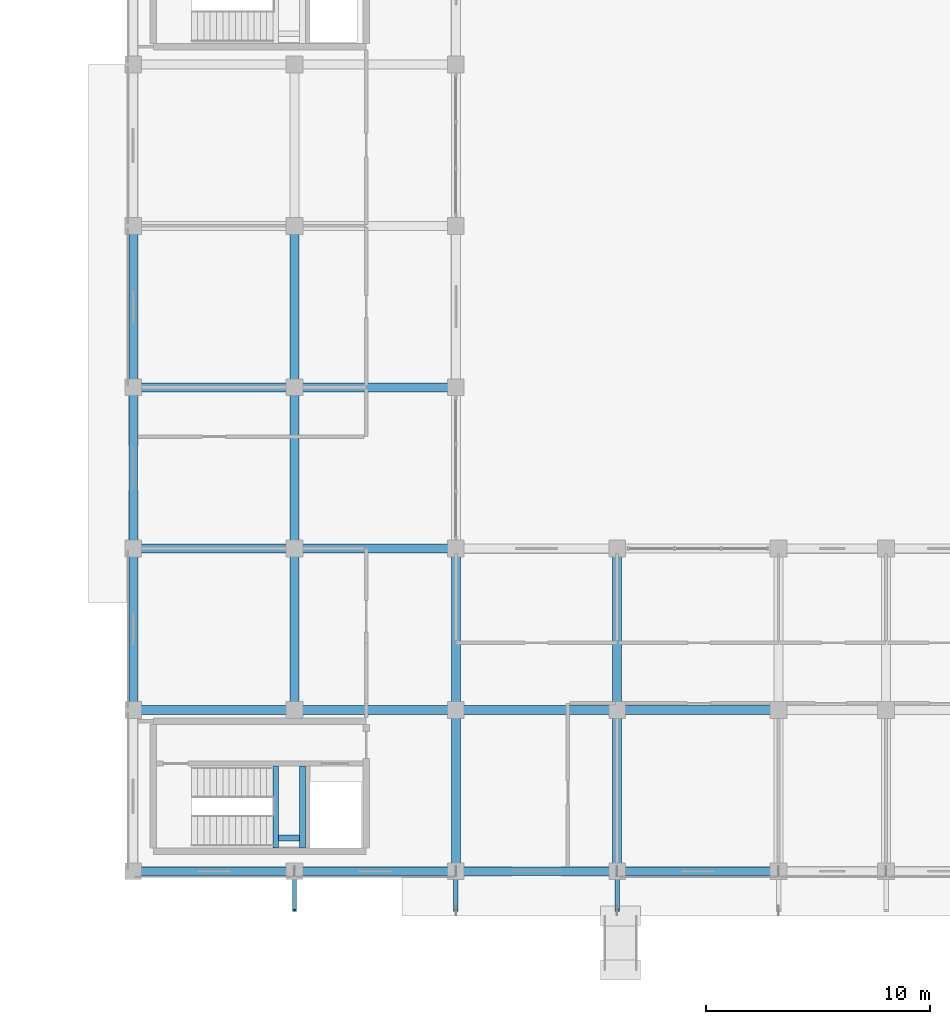
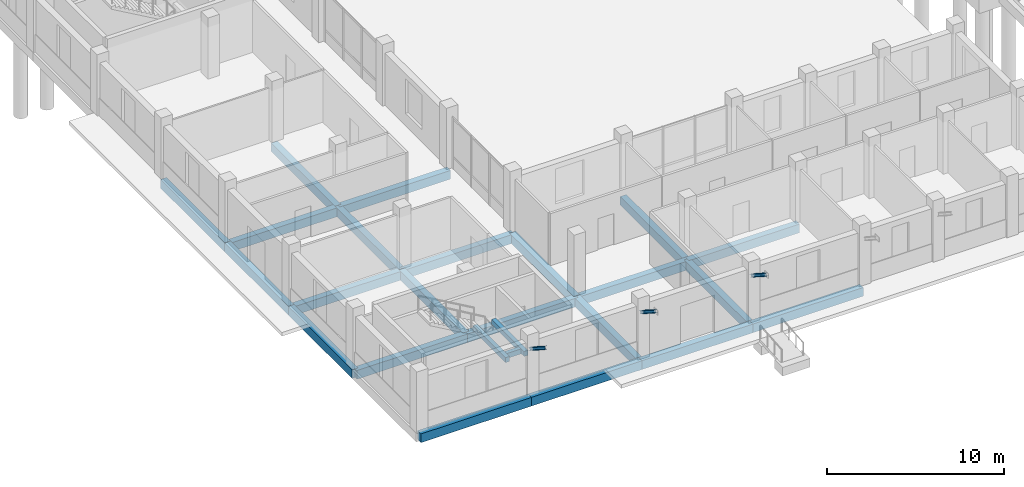
# One storey, part 17 of 98: 25 beams, 3 members.
"""IFC4 building model written with IfcOpenShell, lengths in metres."""

from ifc_helpers import new_model, si_unit, direction, frame, origin, origin_2d, place, context, subcontext, project, spatial, rectangle, i_section, extrude, material, material_profile, profile_set, type_object, element, save


model = new_model("IFC4")

# Units and contexts
model_context = context("Model", 3, precision=1e-05, world=origin(), true_north=direction((0.0, 1.0)))
body_context = subcontext(model_context, "Body", "Model", "MODEL_VIEW")
ifc_project = project(units=[si_unit("LENGTHUNIT", "METRE"), si_unit("AREAUNIT", "SQUARE_METRE"), si_unit("VOLUMEUNIT", "CUBIC_METRE"), si_unit("PLANEANGLEUNIT", "RADIAN"), si_unit("MASSUNIT", "GRAM", prefix="KILO")], contexts=[model_context])

# Site, building, storey
site_placement = place(None, origin())
site = spatial("IfcSite", under=ifc_project, at=site_placement, CompositionType="ELEMENT")
building_placement = place(site_placement, origin())
building = spatial("IfcBuilding", under=site, at=building_placement, Name="Zornivar Specialist Clinic", CompositionType="ELEMENT")
storey_placement = place(building_placement, origin())
storey = spatial("IfcBuildingStorey", under=building, at=storey_placement, Name="L00", CompositionType="ELEMENT", Elevation=0.0)

# Beams
ifc_material_1 = material(Name="Concrete C30/37", Category="concrete")
ifc_material_profile_1 = material_profile(ifc_material_1, rectangle(XDim=0.260009765625, YDim=0.340087890625, at=origin_2d()), Name="RC 260x340")
ifc_profile_set_1 = profile_set([ifc_material_profile_1], Name="Concrete C30/37")
beam_type_1 = type_object("IfcBeamType", Name="BM-LAND-260x340", PredefinedType="BEAM", material=ifc_profile_set_1)
for number, where, z_axis, x_axis, name in (
    (1, (6.360107421875, 1.0400390625, 1.8701171875), (0.0, 1.0, 0.0), (-1.0, 0.0, 0.0), "bm:stair:C1:L00:lW"),
    (2, (7.56005859375, 1.0400390625, 1.8701171875), (0.0, 1.0, 0.0), (-1.0, 0.0, 0.0), "bm:stair:C1:L00:lE"),
):
    element("IfcBeam", number, at=place(storey_placement, frame(where, z_axis=z_axis, x_axis=x_axis)), inside=storey, type_object=beam_type_1, Name=name, PredefinedType="BEAM", context=body_context, shape_type="SweptSolid", body=[
        extrude(rectangle(XDim=0.260009765625, YDim=0.340087890625, at=origin_2d()), origin(), (0.0, 0.0, 1.0), 3.659912109375),
    ])
beam_1_placement = place(storey_placement, frame((6.4951171875, 1.47998046875, 1.8701171875), z_axis=(1.0, 0.0, 0.0), x_axis=(0.0, 1.0, 0.0)))
element("IfcBeam", 3, at=beam_1_placement, inside=storey, type_object=beam_type_1, Name="bm:stair:C1:L00:lS", PredefinedType="BEAM", context=body_context, shape_type="SweptSolid", body=[
    extrude(rectangle(XDim=0.260009765625, YDim=0.340087890625, at=origin_2d()), origin(), (0.0, 0.0, 1.0), 0.929931640625),
])
ifc_material_2 = material(Name="Concrete C30/37", Category="concrete")
ifc_material_profile_2 = material_profile(ifc_material_2, rectangle(XDim=0.39990234375, YDim=0.60009765625, at=origin_2d()), Name="RC 400x600")
ifc_profile_set_2 = profile_set([ifc_material_profile_2], Name="Concrete C30/37")
beam_type_2 = type_object("IfcBeamType", Name="BM-RC-400x600", PredefinedType="BEAM", material=ifc_profile_set_2)
for number, where, z_axis, x_axis, name in (
    (4, (0.0, 7.199951171875, -0.580078125), (1.0, 0.0, 0.0), (0.0, 1.0, 0.0), "bm:V2:L00:x:72:0"),
    (5, (7.199951171875, 7.199951171875, -0.580078125), (1.0, 0.0, 0.0), (0.0, 1.0, 0.0), "bm:V2:L00:x:72:1"),
):
    element("IfcBeam", number, at=place(storey_placement, frame(where, z_axis=z_axis, x_axis=x_axis)), inside=storey, type_object=beam_type_2, Name=name, PredefinedType="BEAM", context=body_context, shape_type="SweptSolid", body=[
        extrude(rectangle(XDim=0.39990234375, YDim=0.60009765625, at=origin_2d()), origin(), (0.0, 0.0, 1.0), 7.199951171875),
    ])
beam_2_placement = place(storey_placement, frame((14.39990234375, 7.199951171875, -0.580078125), z_axis=(1.0, 0.0, 0.0), x_axis=(0.0, 1.0, 0.0)))
element("IfcBeam", 6, at=beam_2_placement, inside=storey, type_object=beam_type_2, Name="bm:V2:L00:x:72:2", PredefinedType="BEAM", context=body_context, shape_type="SweptSolid", body=[
    extrude(rectangle(XDim=0.39990234375, YDim=0.60009765625, at=origin_2d()), origin(), (0.0, 0.0, 1.0), 7.2001953125),
])
for number, where, z_axis, x_axis, name in (
    (7, (21.60009765625, 7.199951171875, -0.580078125), (1.0, 0.0, 0.0), (0.0, 1.0, 0.0), "bm:V2:L00:x:72:3"),
    (8, (0.0, 14.39990234375, -0.580078125), (1.0, 0.0, 0.0), (0.0, 1.0, 0.0), "bm:V2:L00:x:144:0"),
    (9, (7.199951171875, 14.39990234375, -0.580078125), (1.0, 0.0, 0.0), (0.0, 1.0, 0.0), "bm:V2:L00:x:144:1"),
    (10, (0.0, 21.60009765625, -0.580078125), (1.0, 0.0, 0.0), (0.0, 1.0, 0.0), "bm:V2:L00:x:216:0"),
    (11, (7.199951171875, 21.60009765625, -0.580078125), (1.0, 0.0, 0.0), (0.0, 1.0, 0.0), "bm:V2:L00:x:216:1"),
    (12, (7.199951171875, 7.199951171875, -0.580078125), (0.0, 1.0, 0.0), (-1.0, 0.0, 0.0), "bm:V2:L00:y:72:1"),
):
    element("IfcBeam", number, at=place(storey_placement, frame(where, z_axis=z_axis, x_axis=x_axis)), inside=storey, type_object=beam_type_2, Name=name, PredefinedType="BEAM", context=body_context, shape_type="SweptSolid", body=[
        extrude(rectangle(XDim=0.39990234375, YDim=0.60009765625, at=origin_2d()), origin(), (0.0, 0.0, 1.0), 7.199951171875),
    ])
beam_3_placement = place(storey_placement, frame((7.199951171875, 14.39990234375, -0.580078125), z_axis=(0.0, 1.0, 0.0), x_axis=(-1.0, 0.0, 0.0)))
element("IfcBeam", 13, at=beam_3_placement, inside=storey, type_object=beam_type_2, Name="bm:V2:L00:y:72:2", PredefinedType="BEAM", context=body_context, shape_type="SweptSolid", body=[
    extrude(rectangle(XDim=0.39990234375, YDim=0.60009765625, at=origin_2d()), origin(), (0.0, 0.0, 1.0), 7.2001953125),
])
for number, where, z_axis, x_axis, name in (
    (14, (7.199951171875, 21.60009765625, -0.580078125), (0.0, 1.0, 0.0), (-1.0, 0.0, 0.0), "bm:V2:L00:y:72:3"),
    (15, (14.39990234375, 0.0, -0.580078125), (0.0, 1.0, 0.0), (-1.0, 0.0, 0.0), "bm:V2:L00:y:144:0"),
    (16, (14.39990234375, 7.199951171875, -0.580078125), (0.0, 1.0, 0.0), (-1.0, 0.0, 0.0), "bm:V2:L00:y:144:1"),
    (17, (21.60009765625, 0.0, -0.580078125), (0.0, 1.0, 0.0), (-1.0, 0.0, 0.0), "bm:V2:L00:y:216:0"),
    (18, (21.60009765625, 7.199951171875, -0.580078125), (0.0, 1.0, 0.0), (-1.0, 0.0, 0.0), "bm:V2:L00:y:216:1"),
):
    element("IfcBeam", number, at=place(storey_placement, frame(where, z_axis=z_axis, x_axis=x_axis)), inside=storey, type_object=beam_type_2, Name=name, PredefinedType="BEAM", context=body_context, shape_type="SweptSolid", body=[
        extrude(rectangle(XDim=0.39990234375, YDim=0.60009765625, at=origin_2d()), origin(), (0.0, 0.0, 1.0), 7.199951171875),
    ])
ifc_material_3 = material(Name="Concrete C30/37", Category="concrete")
ifc_material_profile_3 = material_profile(ifc_material_3, rectangle(XDim=0.389892578125, YDim=0.60009765625, at=origin_2d()), Name="RC 390x600")
ifc_profile_set_3 = profile_set([ifc_material_profile_3], Name="Concrete C30/37")
beam_type_3 = type_object("IfcBeamType", Name="BM-RC-SPANDREL-390x600", PredefinedType="SPANDREL", material=ifc_profile_set_3)
for number, where, z_axis, x_axis, name in (
    (19, (0.0, 0.0, -0.580078125), (1.0, 0.0, 0.0), (0.0, 1.0, 0.0), "bm:V2:L00:x:0:0"),
    (20, (7.199951171875, 0.0, -0.580078125), (1.0, 0.0, 0.0), (0.0, 1.0, 0.0), "bm:V2:L00:x:0:1"),
):
    element("IfcBeam", number, at=place(storey_placement, frame(where, z_axis=z_axis, x_axis=x_axis)), inside=storey, type_object=beam_type_3, Name=name, PredefinedType="SPANDREL", context=body_context, shape_type="SweptSolid", body=[
        extrude(rectangle(XDim=0.389892578125, YDim=0.60009765625, at=origin_2d()), origin(), (0.0, 0.0, 1.0), 7.199951171875),
    ])
beam_4_placement = place(storey_placement, frame((14.39990234375, 0.0, -0.580078125), z_axis=(1.0, 0.0, 0.0), x_axis=(0.0, 1.0, 0.0)))
element("IfcBeam", 21, at=beam_4_placement, inside=storey, type_object=beam_type_3, Name="bm:V2:L00:x:0:2", PredefinedType="SPANDREL", context=body_context, shape_type="SweptSolid", body=[
    extrude(rectangle(XDim=0.389892578125, YDim=0.60009765625, at=origin_2d()), origin(), (0.0, 0.0, 1.0), 7.2001953125),
])
for number, where, z_axis, x_axis, name in (
    (22, (21.60009765625, 0.0, -0.580078125), (1.0, 0.0, 0.0), (0.0, 1.0, 0.0), "bm:V2:L00:x:0:3"),
    (23, (0.0, 7.199951171875, -0.580078125), (0.0, 1.0, 0.0), (-1.0, 0.0, 0.0), "bm:V2:L00:y:0:1"),
):
    element("IfcBeam", number, at=place(storey_placement, frame(where, z_axis=z_axis, x_axis=x_axis)), inside=storey, type_object=beam_type_3, Name=name, PredefinedType="SPANDREL", context=body_context, shape_type="SweptSolid", body=[
        extrude(rectangle(XDim=0.389892578125, YDim=0.60009765625, at=origin_2d()), origin(), (0.0, 0.0, 1.0), 7.199951171875),
    ])
beam_5_placement = place(storey_placement, frame((0.0, 14.39990234375, -0.580078125), z_axis=(0.0, 1.0, 0.0), x_axis=(-1.0, 0.0, 0.0)))
element("IfcBeam", 24, at=beam_5_placement, inside=storey, type_object=beam_type_3, Name="bm:V2:L00:y:0:2", PredefinedType="SPANDREL", context=body_context, shape_type="SweptSolid", body=[
    extrude(rectangle(XDim=0.389892578125, YDim=0.60009765625, at=origin_2d()), origin(), (0.0, 0.0, 1.0), 7.2001953125),
])
beam_6_placement = place(storey_placement, frame((0.0, 21.60009765625, -0.580078125), z_axis=(0.0, 1.0, 0.0), x_axis=(-1.0, 0.0, 0.0)))
element("IfcBeam", 25, at=beam_6_placement, inside=storey, type_object=beam_type_3, Name="bm:V2:L00:y:0:3", PredefinedType="SPANDREL", context=body_context, shape_type="SweptSolid", body=[
    extrude(rectangle(XDim=0.389892578125, YDim=0.60009765625, at=origin_2d()), origin(), (0.0, 0.0, 1.0), 7.199951171875),
])

# Members
ifc_material_4 = material(Name="Steel S355J2", Category="steel")
ifc_material_profile_4 = material_profile(ifc_material_4, i_section(OverallWidth=0.199951171875, OverallDepth=0.18994140625, WebThickness=0.006591796875, FlangeThickness=0.010009765625, FilletRadius=0.01806640625, at=origin_2d()), Name="HEA 200")
ifc_profile_set_4 = profile_set([ifc_material_profile_4], Name="Steel S355J2")
member_type = type_object("IfcMemberType", Name="MEM-CANOPY-HEA200", PredefinedType="MEMBER", material=ifc_profile_set_4)
for number, where, z_axis, x_axis, name in (
    (26, (7.199951171875, 0.0, 2.949951171875), (0.0, -0.842245792271, 0.539093707441), (1.0, 0.0, 0.0), "mem:CAN:L00:strut:72"),
    (27, (14.39990234375, 0.0, 2.949951171875), (0.0, -0.842245792271, 0.539093707441), (1.0, 0.0, 0.0), "mem:CAN:L00:strut:144"),
    (28, (21.60009765625, 0.0, 2.949951171875), (0.0, -0.842245792271, 0.539093707441), (1.0, 0.0, 0.0), "mem:CAN:L00:strut:216"),
):
    element("IfcMember", number, at=place(storey_placement, frame(where, z_axis=z_axis, x_axis=x_axis)), inside=storey, type_object=member_type, Name=name, PredefinedType="MEMBER", context=body_context, shape_type="SweptSolid", body=[
        extrude(i_section(OverallWidth=0.199951171875, OverallDepth=0.18994140625, WebThickness=0.006591796875, FlangeThickness=0.010009765625, FilletRadius=0.01806640625, at=origin_2d()), origin(), (0.0, 0.0, 1.0), 2.077880859375),
    ])

save(model, "model.ifc")
